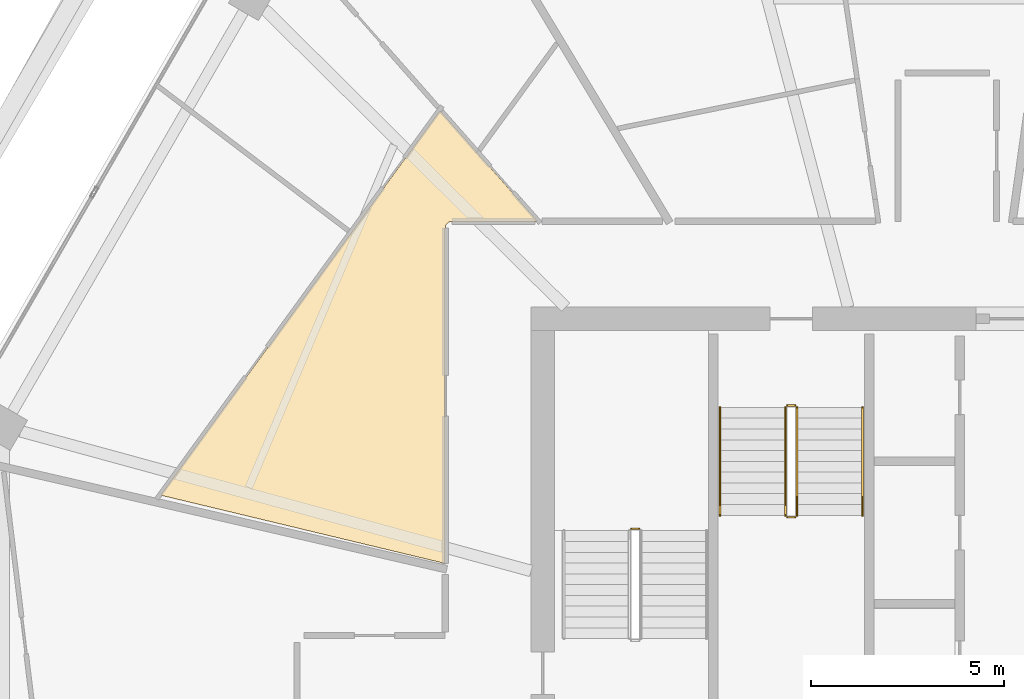
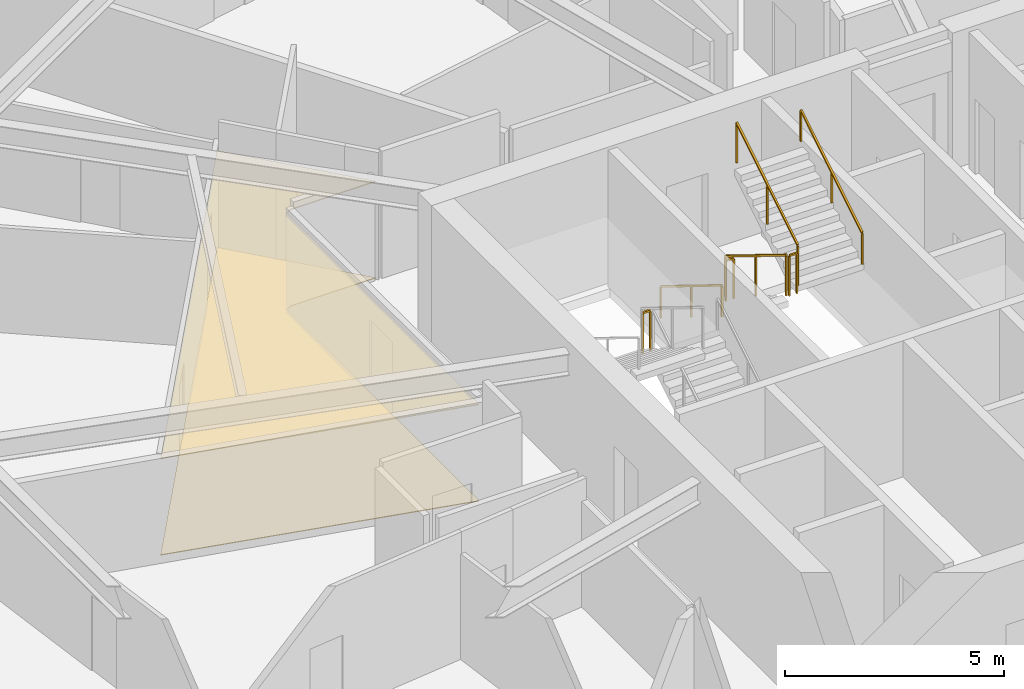
# One storey, part 27 of 28: 7 railings, 2 coverings.
"""IFC4 building model written with IfcOpenShell, lengths in metres."""

from ifc_helpers import new_model, si_unit, direction, frame, origin, origin_2d, place, context, subcontext, project, spatial, polyline, rectangle, outline, extrude, material, layer, layer_set, type_object, element, save


model = new_model("IFC4")

# Units and contexts
model_context = context("Model", 3, precision=1e-05, world=origin(), true_north=direction((0.0, 1.0)))
body_context = subcontext(model_context, "Body", "Model", "MODEL_VIEW")
ifc_project = project(units=[si_unit("LENGTHUNIT", "METRE"), si_unit("AREAUNIT", "SQUARE_METRE"), si_unit("VOLUMEUNIT", "CUBIC_METRE"), si_unit("PLANEANGLEUNIT", "RADIAN"), si_unit("MASSUNIT", "GRAM", prefix="KILO")], contexts=[model_context])

# Site, building, storey
site_placement = place(None, origin())
site = spatial("IfcSite", under=ifc_project, at=site_placement, CompositionType="ELEMENT")
building_placement = place(site_placement, origin())
building = spatial("IfcBuilding", under=site, at=building_placement, Name="Zuhravey Tower", CompositionType="ELEMENT")
storey_placement = place(building_placement, frame((0.0, 0.0, 254.0)))
storey = spatial("IfcBuildingStorey", under=building, at=storey_placement, Name="L64", CompositionType="ELEMENT", Elevation=254.0)

# Coverings
ifc_material_1 = material(Name="Mineral-fibre acoustic ceiling tile")
ifc_layer_1 = layer(ifc_material_1, 0.02490234375)
ifc_layer_set_1 = layer_set([ifc_layer_1], Name="Mineral-fibre acoustic ceiling tile")
covering_type_1 = type_object("IfcCoveringType", Name="Acoustic Suspended Ceiling", PredefinedType="CEILING", material=ifc_layer_set_1)
covering_1_placement = place(storey_placement, frame((0.0, 0.0, 2.68994140625)))
element("IfcCovering", 1, at=covering_1_placement, inside=storey, type_object=covering_type_1, Name="L64 Acoustic Suspended Ceiling CLG1", PredefinedType="CEILING", context=body_context, shape_type="SweptSolid", body=[
    extrude(outline(polyline([(23.13330078125, 44.029296875), (23.0986328125, 44.0224609375), (23.06591796875, 44.00927734375), (23.02197265625, 43.9765625), (22.999755859375, 43.94921875), (22.9833984375, 43.91796875), (22.973388671875, 43.884033203125), (22.969970703125, 43.85009765625), (22.969970703125, 35.148681640625), (15.58251953125, 36.92236328125), (22.834228515625, 46.9033203125), (25.367431640625, 44.030029296875), (23.13330078125, 44.029296875)])), origin(), (0.0, 0.0, 1.0), 0.025146484375),
])
ifc_material_2 = material(Name="Porcelain tile finish")
ifc_layer_2 = layer(ifc_material_2, 0.02001953125)
ifc_layer_set_2 = layer_set([ifc_layer_2], Name="Porcelain tile finish")
covering_type_2 = type_object("IfcCoveringType", Name="Apartment Ondol Porcelain Flooring", PredefinedType="FLOORING", material=ifc_layer_set_2)
covering_2_placement = place(storey_placement, origin())
element("IfcCovering", 2, at=covering_2_placement, inside=storey, type_object=covering_type_2, Name="L64 Principal Room Acoustic Flooring", PredefinedType="FLOORING", context=body_context, shape_type="SweptSolid", body=[
    extrude(outline(polyline([(23.13330078125, 44.029296875), (23.0986328125, 44.0224609375), (23.06591796875, 44.00927734375), (23.02197265625, 43.9765625), (22.999755859375, 43.94921875), (22.9833984375, 43.91796875), (22.973388671875, 43.884033203125), (22.969970703125, 43.85009765625), (22.969970703125, 35.148681640625), (15.58251953125, 36.92236328125), (22.834228515625, 46.9033203125), (25.367431640625, 44.030029296875), (23.13330078125, 44.029296875)])), origin(), (0.0, 0.0, 1.0), 0.02001953125),
])

# Railings
ifc_material_3 = material(Name="Brushed stainless steel", Category="steel")
railing_type_1 = type_object("IfcRailingType", Name="Stair Wall Handrail 900", PredefinedType="HANDRAIL", material=ifc_material_3)
railing_1_placement = place(storey_placement, frame((30.10009765625, 39.199951171875, 0.172607421875)))
element("IfcRailing", 3, at=railing_1_placement, inside=storey, type_object=railing_type_1, Name="L64 ST3 stair handrail 1", PredefinedType="HANDRAIL", context=body_context, shape_type="SweptSolid", body=[
    extrude(rectangle(XDim=0.048095703125, YDim=0.048095703125, at=origin_2d()), frame((0.0, -0.001708984375, 0.876953125), z_axis=(0.0, -0.851089632645, 0.525020415988), x_axis=(1.0, 0.0, 0.0)), (0.0, 0.0, 1.0), 3.285888671875),
    extrude(rectangle(XDim=0.0419921875, YDim=0.0419921875, at=origin_2d()), origin(), (0.0, 0.0, 1.0), 0.849853515625),
    extrude(rectangle(XDim=0.0419921875, YDim=0.0419921875, at=origin_2d()), frame((0.0, -1.39990234375, 0.86376953125)), (0.0, 0.0, 1.0), 0.849853515625),
    extrude(rectangle(XDim=0.0419921875, YDim=0.0419921875, at=origin_2d()), frame((0.0, -2.800048828125, 1.727294921875)), (0.0, 0.0, 1.0), 0.849853515625),
])
railing_2_placement = place(storey_placement, frame((33.800048828125, 36.39990234375, 2.07275390625)))
element("IfcRailing", 4, at=railing_2_placement, inside=storey, type_object=railing_type_1, Name="L64 ST3 stair handrail 2", PredefinedType="HANDRAIL", context=body_context, shape_type="SweptSolid", body=[
    extrude(rectangle(XDim=0.048095703125, YDim=0.048095703125, at=origin_2d()), frame((0.0, 0.001708984375, 0.876953125), z_axis=(0.0, 0.851089632645, 0.525020415988), x_axis=(-1.0, 0.0, 0.0)), (0.0, 0.0, 1.0), 3.285888671875),
    extrude(rectangle(XDim=0.0419921875, YDim=0.0419921875, at=origin_2d()), origin(), (0.0, 0.0, 1.0), 0.849853515625),
    extrude(rectangle(XDim=0.0419921875, YDim=0.0419921875, at=origin_2d()), frame((0.0, 1.39990234375, 0.86376953125)), (0.0, 0.0, 1.0), 0.849853515625),
    extrude(rectangle(XDim=0.0419921875, YDim=0.0419921875, at=origin_2d()), frame((0.0, 2.800048828125, 1.727294921875)), (0.0, 0.0, 1.0), 0.849853515625),
])
ifc_material_4 = material(Name="Painted tubular steel", Category="steel")
railing_type_2 = type_object("IfcRailingType", Name="Stair Well Guardrail 1150", PredefinedType="GUARDRAIL", material=ifc_material_4)
railing_3_placement = place(storey_placement, frame((28.0, 36.050048828125, 1.89990234375)))
element("IfcRailing", 5, at=railing_3_placement, inside=storey, type_object=railing_type_2, Name="L64 ST1 stair guard 2", PredefinedType="GUARDRAIL", context=body_context, shape_type="SweptSolid", body=[
    extrude(rectangle(XDim=0.048095703125, YDim=0.048095703125, at=origin_2d()), frame((-0.001953125, 0.0, 1.1259765625), z_axis=(-1.0, 0.0, 0.0), x_axis=(0.0, -1.0, 0.0)), (0.0, 0.0, 1.0), 0.196044921875),
    extrude(rectangle(XDim=0.0419921875, YDim=0.0419921875, at=origin_2d()), origin(), (0.0, 0.0, 1.0), 1.099853515625),
    extrude(rectangle(XDim=0.0419921875, YDim=0.0419921875, at=origin_2d()), frame((-0.199951171875, 0.0, 0.0)), (0.0, 0.0, 1.0), 1.099853515625),
])
railing_4_placement = place(storey_placement, frame((31.800048828125, 39.199951171875, 0.172607421875)))
element("IfcRailing", 6, at=railing_4_placement, inside=storey, type_object=railing_type_2, Name="L64 ST3 stair guard 1", PredefinedType="GUARDRAIL", context=body_context, shape_type="SweptSolid", body=[
    extrude(rectangle(XDim=0.048095703125, YDim=0.048095703125, at=origin_2d()), frame((0.0, -0.001708984375, 1.126953125), z_axis=(0.0, -0.851089632645, 0.525020415988), x_axis=(1.0, 0.0, 0.0)), (0.0, 0.0, 1.0), 3.285888671875),
    extrude(rectangle(XDim=0.0419921875, YDim=0.0419921875, at=origin_2d()), origin(), (0.0, 0.0, 1.0), 1.099853515625),
    extrude(rectangle(XDim=0.0419921875, YDim=0.0419921875, at=origin_2d()), frame((0.0, -1.39990234375, 0.86376953125)), (0.0, 0.0, 1.0), 1.099853515625),
    extrude(rectangle(XDim=0.0419921875, YDim=0.0419921875, at=origin_2d()), frame((0.0, -2.800048828125, 1.727294921875)), (0.0, 0.0, 1.0), 1.099853515625),
])
railing_5_placement = place(storey_placement, frame((31.85009765625, 36.35009765625, 1.89990234375)))
element("IfcRailing", 7, at=railing_5_placement, inside=storey, type_object=railing_type_2, Name="L64 ST3 stair guard 2", PredefinedType="GUARDRAIL", context=body_context, shape_type="SweptSolid", body=[
    extrude(rectangle(XDim=0.048095703125, YDim=0.048095703125, at=origin_2d()), frame((0.001953125, 0.0, 1.1259765625), z_axis=(1.0, 0.0, 0.0), x_axis=(0.0, 1.0, 0.0)), (0.0, 0.0, 1.0), 0.196044921875),
    extrude(rectangle(XDim=0.0419921875, YDim=0.0419921875, at=origin_2d()), origin(), (0.0, 0.0, 1.0), 1.099853515625),
    extrude(rectangle(XDim=0.0419921875, YDim=0.0419921875, at=origin_2d()), frame((0.199951171875, 0.0, 0.0)), (0.0, 0.0, 1.0), 1.099853515625),
])
railing_6_placement = place(storey_placement, frame((32.10009765625, 36.39990234375, 2.07275390625)))
element("IfcRailing", 8, at=railing_6_placement, inside=storey, type_object=railing_type_2, Name="L64 ST3 stair guard 3", PredefinedType="GUARDRAIL", context=body_context, shape_type="SweptSolid", body=[
    extrude(rectangle(XDim=0.048095703125, YDim=0.048095703125, at=origin_2d()), frame((0.0, 0.001708984375, 1.126953125), z_axis=(0.0, 0.851089632645, 0.525020415988), x_axis=(-1.0, 0.0, 0.0)), (0.0, 0.0, 1.0), 3.285888671875),
    extrude(rectangle(XDim=0.0419921875, YDim=0.0419921875, at=origin_2d()), origin(), (0.0, 0.0, 1.0), 1.099853515625),
    extrude(rectangle(XDim=0.0419921875, YDim=0.0419921875, at=origin_2d()), frame((0.0, 1.39990234375, 0.86376953125)), (0.0, 0.0, 1.0), 1.099853515625),
    extrude(rectangle(XDim=0.0419921875, YDim=0.0419921875, at=origin_2d()), frame((0.0, 2.800048828125, 1.727294921875)), (0.0, 0.0, 1.0), 1.099853515625),
])
railing_7_placement = place(storey_placement, frame((31.85009765625, 39.25, 0.0)))
element("IfcRailing", 9, at=railing_7_placement, inside=storey, type_object=railing_type_2, Name="L64 ST3 stair guard 4", PredefinedType="GUARDRAIL", context=body_context, shape_type="SweptSolid", body=[
    extrude(rectangle(XDim=0.048095703125, YDim=0.048095703125, at=origin_2d()), frame((0.001953125, 0.0, 1.1259765625), z_axis=(1.0, 0.0, 0.0), x_axis=(0.0, 1.0, 0.0)), (0.0, 0.0, 1.0), 0.196044921875),
    extrude(rectangle(XDim=0.0419921875, YDim=0.0419921875, at=origin_2d()), origin(), (0.0, 0.0, 1.0), 1.099853515625),
    extrude(rectangle(XDim=0.0419921875, YDim=0.0419921875, at=origin_2d()), frame((0.199951171875, 0.0, 0.0)), (0.0, 0.0, 1.0), 1.099853515625),
])

save(model, "model.ifc")
